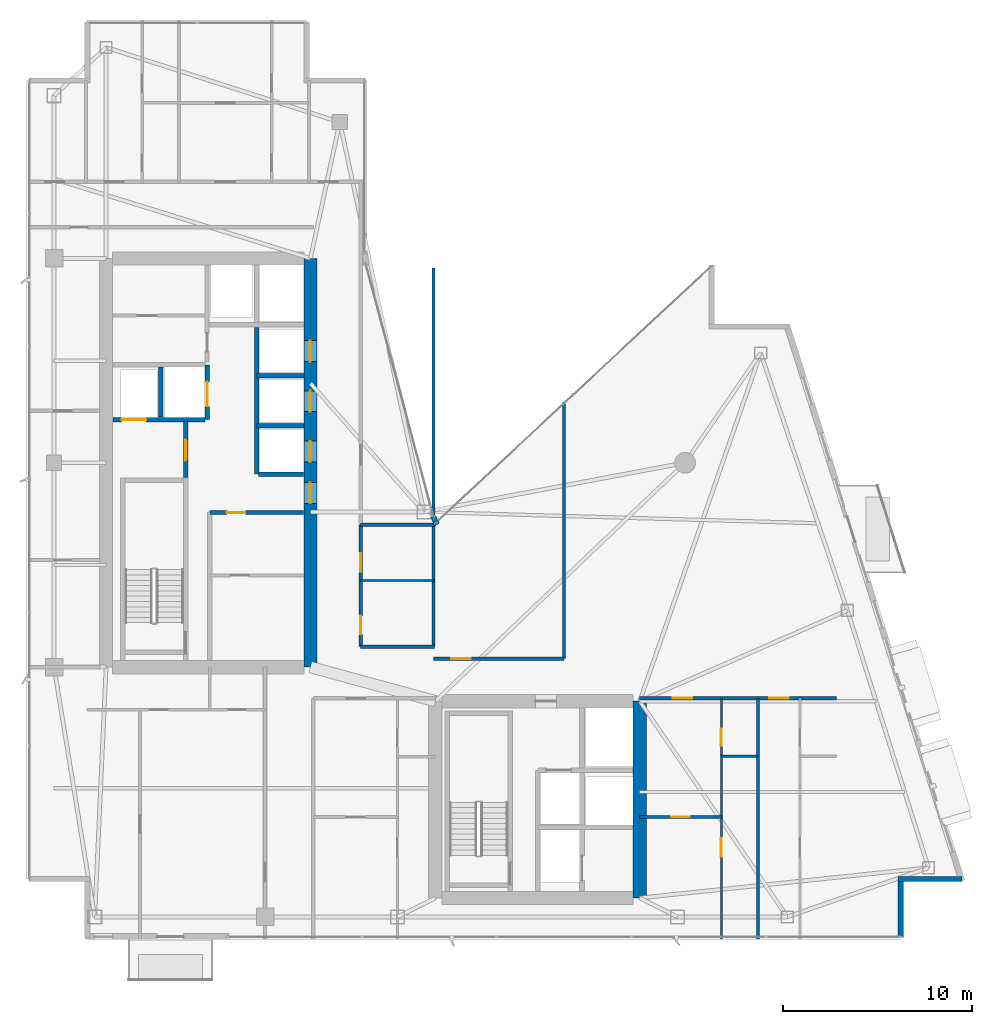
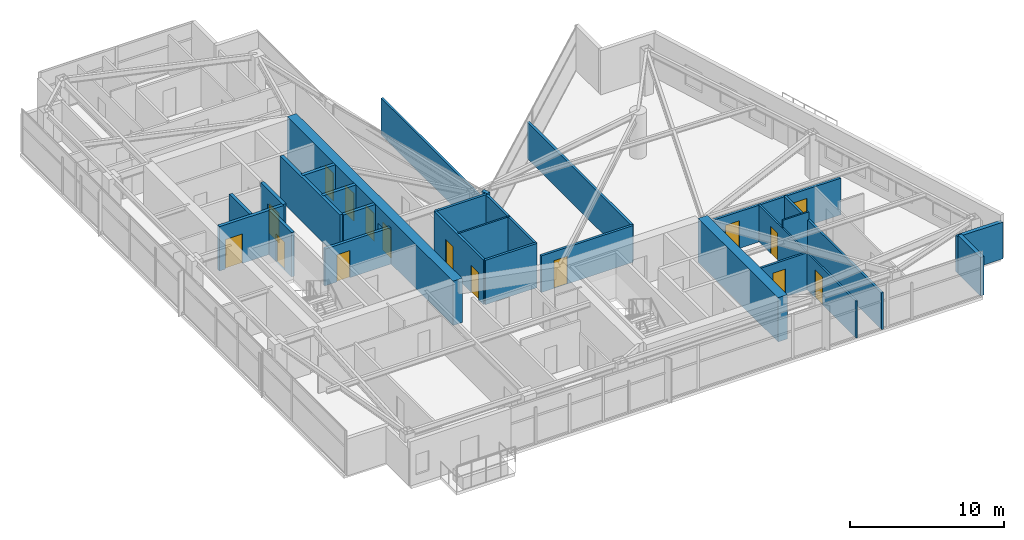
# One storey, part 23 of 27: 27 walls, 16 doors, 16 openings.
"""IFC4 building model written with IfcOpenShell, lengths in metres."""

from ifc_helpers import new_model, si_unit, direction, frame, frame_2d, origin, place, context, subcontext, project, spatial, rectangle, extrude, material, layer, layer_set, type_object, element, fill, save


model = new_model("IFC4")

# Units and contexts
model_context = context("Model", 3, precision=1e-05, world=origin(), true_north=direction((0.0, 1.0)))
body_context = subcontext(model_context, "Body", "Model", "MODEL_VIEW")
ifc_project = project(units=[si_unit("LENGTHUNIT", "METRE"), si_unit("AREAUNIT", "SQUARE_METRE"), si_unit("VOLUMEUNIT", "CUBIC_METRE"), si_unit("PLANEANGLEUNIT", "RADIAN"), si_unit("MASSUNIT", "GRAM", prefix="KILO")], contexts=[model_context])

# Site, building, storey
site_placement = place(None, origin())
site = spatial("IfcSite", under=ifc_project, at=site_placement, CompositionType="ELEMENT")
building_placement = place(site_placement, origin())
building = spatial("IfcBuilding", under=site, at=building_placement, Name="Calvorn Quay Hotel", CompositionType="ELEMENT")
storey_placement = place(building_placement, frame((0.0, 0.0, 230.699951171875)))
storey = spatial("IfcBuildingStorey", under=building, at=storey_placement, Name="L57", CompositionType="ELEMENT", Elevation=230.699951171875)

# Wall, openings, doors
ifc_material_1 = material(Name="Concrete C45", Category="concrete")
ifc_layer_1 = layer(ifc_material_1, 0.699951171875)
ifc_layer_set_1 = layer_set([ifc_layer_1], Name="WL-CORE-700")
wall_type_1 = type_object("IfcWallType", Name="WL-CORE-700", PredefinedType="SHEAR", material=ifc_layer_set_1)
wall_1_placement = place(storey_placement, frame((15.0, 16.800048828125, 0.0), z_axis=(0.0, 0.0, 1.0), x_axis=(0.0, 1.0, 0.0)))
wall_1 = element("IfcWall", 1, at=wall_1_placement, inside=storey, type_object=wall_type_1, Name="West Core Shear Wall E (L57)", PredefinedType="SHEAR", context=body_context, shape_type="SweptSolid", body=[
    extrude(rectangle(XDim=21.599853515625, YDim=0.699951171875, at=frame_2d((10.7998046875, 0.0))), origin(), (0.0, 0.0, 1.0), 3.52001953125),
])
opening_1_placement = place(wall_1_placement, frame((8.64990234375, 0.0, 0.0)))
opening_1 = element("IfcOpeningElement", 2, at=opening_1_placement, cuts=wall_1, Name="Opening D-L57-CW1", PredefinedType="OPENING", context=body_context, shape_type="SweptSolid", body=[
    extrude(rectangle(XDim=1.10009765625, YDim=2.199951171875, at=frame_2d((0.550048828125, 1.10009765625))), frame((0.0, 0.35986328125, 0.0), z_axis=(0.0, -1.0, 0.0), x_axis=(1.0, 0.0, 0.0)), (0.0, 0.0, 1.0), 0.719970703125),
])
opening_2_placement = place(wall_1_placement, frame((10.85009765625, 0.0, 0.0)))
opening_2 = element("IfcOpeningElement", 3, at=opening_2_placement, cuts=wall_1, Name="Opening LD-L57-M1", PredefinedType="OPENING", context=body_context, shape_type="SweptSolid", body=[
    extrude(rectangle(XDim=1.10009765625, YDim=2.199951171875, at=frame_2d((0.550048828125, 1.10009765625))), frame((0.0, 0.35986328125, 0.0), z_axis=(0.0, -1.0, 0.0), x_axis=(1.0, 0.0, 0.0)), (0.0, 0.0, 1.0), 0.719970703125),
])
opening_3_placement = place(wall_1_placement, frame((13.5, 0.0, 0.0)))
opening_3 = element("IfcOpeningElement", 4, at=opening_3_placement, cuts=wall_1, Name="Opening LD-L57-M2", PredefinedType="OPENING", context=body_context, shape_type="SweptSolid", body=[
    extrude(rectangle(XDim=1.10009765625, YDim=2.199951171875, at=frame_2d((0.550048828125, 1.10009765625))), frame((0.0, 0.35986328125, 0.0), z_axis=(0.0, -1.0, 0.0), x_axis=(1.0, 0.0, 0.0)), (0.0, 0.0, 1.0), 0.719970703125),
])
opening_4_placement = place(wall_1_placement, frame((16.14990234375, 0.0, 0.0)))
opening_4 = element("IfcOpeningElement", 5, at=opening_4_placement, cuts=wall_1, Name="Opening LD-L57-M3", PredefinedType="OPENING", context=body_context, shape_type="SweptSolid", body=[
    extrude(rectangle(XDim=1.10009765625, YDim=2.199951171875, at=frame_2d((0.550048828125, 1.10009765625))), frame((0.0, 0.35986328125, 0.0), z_axis=(0.0, -1.0, 0.0), x_axis=(1.0, 0.0, 0.0)), (0.0, 0.0, 1.0), 0.719970703125),
])
ifc_material_2 = material(Name="Smoke-Sealed Steel Class A Fire Door", Category="steel")
door_type_1 = type_object("IfcDoorType", Name="DR-FFLOBBY-1100", OperationType="NOTDEFINED", PredefinedType="DOOR", material=ifc_material_2)
door_1_placement = place(opening_1_placement, origin())
door_1 = element("IfcDoor", 6, at=door_1_placement, inside=storey, type_object=door_type_1, Name="West Core Vestibule Fire Door (L57)", OperationType="SINGLE_SWING_RIGHT", OverallHeight=2.199951171875, OverallWidth=1.10009765625, PredefinedType="DOOR", context=body_context, shape_type="SweptSolid", body=[
    extrude(rectangle(XDim=1.10009765625, YDim=2.199951171875, at=frame_2d((0.550048828125, 1.10009765625))), frame((0.0, 0.02490234375, 0.0), z_axis=(0.0, -1.0, 0.0), x_axis=(1.0, 0.0, 0.0)), (0.0, 0.0, 1.0), 0.050048828125),
])
fill(opening_1, door_1)
ifc_material_3 = material(Name="Brushed Stainless Steel Sliding Lift Landing Door", Category="steel")
door_type_2 = type_object("IfcDoorType", Name="DR-LIFT-PASS-1100", OperationType="NOTDEFINED", PredefinedType="DOOR", material=ifc_material_3)
door_2_placement = place(opening_2_placement, origin())
door_2 = element("IfcDoor", 7, at=door_2_placement, inside=storey, type_object=door_type_2, Name="Mid-Rise Lift PL-M1 Landing Door (L57)", OperationType="DOUBLE_DOOR_SLIDING", OverallHeight=2.199951171875, OverallWidth=1.10009765625, PredefinedType="DOOR", context=body_context, shape_type="SweptSolid", body=[
    extrude(rectangle(XDim=1.10009765625, YDim=2.199951171875, at=frame_2d((0.550048828125, 1.10009765625))), frame((0.0, 0.02490234375, 0.0), z_axis=(0.0, -1.0, 0.0), x_axis=(1.0, 0.0, 0.0)), (0.0, 0.0, 1.0), 0.050048828125),
])
fill(opening_2, door_2)
door_3_placement = place(opening_3_placement, origin())
door_3 = element("IfcDoor", 8, at=door_3_placement, inside=storey, type_object=door_type_2, Name="Mid-Rise Lift PL-M2 Landing Door (L57)", OperationType="DOUBLE_DOOR_SLIDING", OverallHeight=2.199951171875, OverallWidth=1.10009765625, PredefinedType="DOOR", context=body_context, shape_type="SweptSolid", body=[
    extrude(rectangle(XDim=1.10009765625, YDim=2.199951171875, at=frame_2d((0.550048828125, 1.10009765625))), frame((0.0, 0.02490234375, 0.0), z_axis=(0.0, -1.0, 0.0), x_axis=(1.0, 0.0, 0.0)), (0.0, 0.0, 1.0), 0.050048828125),
])
fill(opening_3, door_3)
door_4_placement = place(opening_4_placement, origin())
door_4 = element("IfcDoor", 9, at=door_4_placement, inside=storey, type_object=door_type_2, Name="Mid-Rise Lift PL-M3 Landing Door (L57)", OperationType="DOUBLE_DOOR_SLIDING", OverallHeight=2.199951171875, OverallWidth=1.10009765625, PredefinedType="DOOR", context=body_context, shape_type="SweptSolid", body=[
    extrude(rectangle(XDim=1.10009765625, YDim=2.199951171875, at=frame_2d((0.550048828125, 1.10009765625))), frame((0.0, 0.02490234375, 0.0), z_axis=(0.0, -1.0, 0.0), x_axis=(1.0, 0.0, 0.0)), (0.0, 0.0, 1.0), 0.050048828125),
])
fill(opening_4, door_4)

# Walls
wall_2_placement = place(storey_placement, frame((32.39990234375, 4.60009765625, 0.0), z_axis=(0.0, 0.0, 1.0), x_axis=(0.0, 1.0, 0.0)))
element("IfcWall", 10, at=wall_2_placement, inside=storey, type_object=wall_type_1, Name="East Core Shear Wall E (L57)", PredefinedType="SHEAR", context=body_context, shape_type="SweptSolid", body=[
    extrude(rectangle(XDim=10.39990234375, YDim=0.699951171875, at=frame_2d((5.199951171875, 0.0))), origin(), (0.0, 0.0, 1.0), 3.52001953125),
])
ifc_material_4 = material(Name="Acoustic Fireboard Steel-Stud Partition", Category="steel")
ifc_layer_2 = layer(ifc_material_4, 0.179931640625)
ifc_layer_set_2 = layer_set([ifc_layer_2], Name="WL-CORR-FIRE-180")
wall_type_2 = type_object("IfcWallType", Name="WL-CORR-FIRE-180", PredefinedType="PARTITIONING", material=ifc_layer_set_2)
wall_3_placement = place(storey_placement, frame((17.64990234375, 17.8798828125, 0.0), z_axis=(0.0, 0.0, 1.0), x_axis=(1.0, 0.0, 0.0)))
element("IfcWall", 11, at=wall_3_placement, inside=storey, type_object=wall_type_2, Name="Partition Wall L57-WL-HK-S", PredefinedType="PARTITIONING", context=body_context, shape_type="SweptSolid", body=[
    extrude(rectangle(XDim=3.900146484375, YDim=0.179931640625, at=frame_2d((1.9501953125, 0.0))), origin(), (0.0, 0.0, 1.0), 3.52001953125),
])
wall_4_placement = place(storey_placement, frame((17.64990234375, 24.320068359375, 0.0), z_axis=(0.0, 0.0, 1.0), x_axis=(1.0, 0.0, 0.0)))
element("IfcWall", 12, at=wall_4_placement, inside=storey, type_object=wall_type_2, Name="Partition Wall L57-WL-HK-N", PredefinedType="PARTITIONING", context=body_context, shape_type="SweptSolid", body=[
    extrude(rectangle(XDim=3.9501953125, YDim=0.179931640625, at=frame_2d((1.97509765625, 0.0))), origin(), (0.0, 0.0, 1.0), 3.52001953125),
])
wall_5_placement = place(storey_placement, frame((21.5, 17.8798828125, 0.0), z_axis=(0.0, 0.0, 1.0), x_axis=(0.0, 1.0, 0.0)))
element("IfcWall", 13, at=wall_5_placement, inside=storey, type_object=wall_type_2, Name="Partition Wall L57-WL-HK-E", PredefinedType="PARTITIONING", context=body_context, shape_type="SweptSolid", body=[
    extrude(rectangle(XDim=6.440185546875, YDim=0.179931640625, at=frame_2d((3.22021484375, 0.0))), origin(), (0.0, 0.0, 1.0), 3.52001953125),
])

# Wall, openings, doors
wall_6_placement = place(storey_placement, frame((17.64990234375, 17.8798828125, 0.0), z_axis=(0.0, 0.0, 1.0), x_axis=(0.0, 1.0, 0.0)))
wall_6 = element("IfcWall", 14, at=wall_6_placement, inside=storey, type_object=wall_type_2, Name="Partition Wall L57-WL-HK-W", PredefinedType="PARTITIONING", context=body_context, shape_type="SweptSolid", body=[
    extrude(rectangle(XDim=6.440185546875, YDim=0.179931640625, at=frame_2d((3.22021484375, 0.0))), origin(), (0.0, 0.0, 1.0), 3.52001953125),
])
opening_5_placement = place(wall_6_placement, frame((0.64990234375, 0.0, 0.0)))
opening_5 = element("IfcOpeningElement", 15, at=opening_5_placement, cuts=wall_6, Name="Opening D-L57-HK", PredefinedType="OPENING", context=body_context, shape_type="SweptSolid", body=[
    extrude(rectangle(XDim=0.97998046875, YDim=2.14990234375, at=frame_2d((0.489990234375, 1.074951171875))), frame((0.0, 0.099853515625, 0.0), z_axis=(0.0, -1.0, 0.0), x_axis=(1.0, 0.0, 0.0)), (0.0, 0.0, 1.0), 0.199951171875),
])
opening_6_placement = place(wall_6_placement, frame((3.969970703125, 0.0, 0.0)))
opening_6 = element("IfcOpeningElement", 16, at=opening_6_placement, cuts=wall_6, Name="Opening D-L57-NCP", PredefinedType="OPENING", context=body_context, shape_type="SweptSolid", body=[
    extrude(rectangle(XDim=0.9599609375, YDim=2.199951171875, at=frame_2d((0.47998046875, 1.10009765625))), frame((0.0, 0.099853515625, 0.0), z_axis=(0.0, -1.0, 0.0), x_axis=(1.0, 0.0, 0.0)), (0.0, 0.0, 1.0), 0.199951171875),
])
ifc_material_5 = material(Name="Painted Steel Housekeeping/Riser Fire Door", Category="steel")
door_type_3 = type_object("IfcDoorType", Name="DR-SERVICE-980", OperationType="NOTDEFINED", PredefinedType="DOOR", material=ifc_material_5)
door_5_placement = place(opening_5_placement, origin())
door_5 = element("IfcDoor", 17, at=door_5_placement, inside=storey, type_object=door_type_3, Name="Floor Housekeeping Door (L57)", OperationType="SINGLE_SWING_LEFT", OverallHeight=2.14990234375, OverallWidth=0.97998046875, PredefinedType="DOOR", context=body_context, shape_type="SweptSolid", body=[
    extrude(rectangle(XDim=0.97998046875, YDim=2.14990234375, at=frame_2d((0.489990234375, 1.074951171875))), frame((0.0, 0.02490234375, 0.0), z_axis=(0.0, -1.0, 0.0), x_axis=(1.0, 0.0, 0.0)), (0.0, 0.0, 1.0), 0.050048828125),
])
fill(opening_5, door_5)
ifc_material_6 = material(Name="Solid Timber Internal Suite Door", Category="wood")
door_type_4 = type_object("IfcDoorType", Name="DR-SUITE-INT-960", OperationType="NOTDEFINED", PredefinedType="DOOR", material=ifc_material_6)
door_6_placement = place(opening_6_placement, origin())
door_6 = element("IfcDoor", 18, at=door_6_placement, inside=storey, type_object=door_type_4, Name="Reading Alcove Door (L57)", OperationType="SINGLE_SWING_RIGHT", OverallHeight=2.199951171875, OverallWidth=0.9599609375, PredefinedType="DOOR", context=body_context, shape_type="SweptSolid", body=[
    extrude(rectangle(XDim=0.9599609375, YDim=2.199951171875, at=frame_2d((0.47998046875, 1.10009765625))), frame((0.0, 0.02490234375, 0.0), z_axis=(0.0, -1.0, 0.0), x_axis=(1.0, 0.0, 0.0)), (0.0, 0.0, 1.0), 0.050048828125),
])
fill(opening_6, door_6)

wall_7_placement = place(storey_placement, frame((32.39990234375, 15.14990234375, 0.0), z_axis=(0.0, 0.0, 1.0), x_axis=(1.0, 0.0, 0.0)))
wall_7 = element("IfcWall", 19, at=wall_7_placement, inside=storey, type_object=wall_type_2, Name="Partition Wall L57-WL-CORR-SE-S", PredefinedType="PARTITIONING", context=body_context, shape_type="SweptSolid", body=[
    extrude(rectangle(XDim=10.400146484375, YDim=0.179931640625, at=frame_2d((5.2001953125, 0.0))), origin(), (0.0, 0.0, 1.0), 2.920166015625),
])
opening_7_placement = place(wall_7_placement, frame((1.75, 0.0, 0.0)))
opening_7 = element("IfcOpeningElement", 20, at=opening_7_placement, cuts=wall_7, Name="Opening D-L57-U05", PredefinedType="OPENING", context=body_context, shape_type="SweptSolid", body=[
    extrude(rectangle(XDim=1.02001953125, YDim=2.199951171875, at=frame_2d((0.510009765625, 1.10009765625))), frame((0.0, 0.099853515625, 0.0), z_axis=(0.0, -1.0, 0.0), x_axis=(1.0, 0.0, 0.0)), (0.0, 0.0, 1.0), 0.199951171875),
])
opening_8_placement = place(wall_7_placement, frame((6.85009765625, 0.0, 0.0)))
opening_8 = element("IfcOpeningElement", 21, at=opening_8_placement, cuts=wall_7, Name="Opening D-L57-U06", PredefinedType="OPENING", context=body_context, shape_type="SweptSolid", body=[
    extrude(rectangle(XDim=1.02001953125, YDim=2.199951171875, at=frame_2d((0.510009765625, 1.10009765625))), frame((0.0, 0.099853515625, 0.0), z_axis=(0.0, -1.0, 0.0), x_axis=(1.0, 0.0, 0.0)), (0.0, 0.0, 1.0), 0.199951171875),
])
ifc_material_7 = material(Name="Solid-Core Walnut Veneer Hotel Fire Door")
door_type_5 = type_object("IfcDoorType", Name="DR-GUEST-ENTRY-1020", OperationType="NOTDEFINED", PredefinedType="DOOR", material=ifc_material_7)
door_7_placement = place(opening_7_placement, origin())
door_7 = element("IfcDoor", 22, at=door_7_placement, inside=storey, type_object=door_type_5, Name="South-East Unit Door U05 (L57)", OperationType="SINGLE_SWING_LEFT", OverallHeight=2.199951171875, OverallWidth=1.02001953125, PredefinedType="DOOR", context=body_context, shape_type="SweptSolid", body=[
    extrude(rectangle(XDim=1.02001953125, YDim=2.199951171875, at=frame_2d((0.510009765625, 1.10009765625))), frame((0.0, 0.02490234375, 0.0), z_axis=(0.0, -1.0, 0.0), x_axis=(1.0, 0.0, 0.0)), (0.0, 0.0, 1.0), 0.050048828125),
])
fill(opening_7, door_7)
door_8_placement = place(opening_8_placement, origin())
door_8 = element("IfcDoor", 23, at=door_8_placement, inside=storey, type_object=door_type_5, Name="South-East Unit Door U06 (L57)", OperationType="SINGLE_SWING_RIGHT", OverallHeight=2.199951171875, OverallWidth=1.02001953125, PredefinedType="DOOR", context=body_context, shape_type="SweptSolid", body=[
    extrude(rectangle(XDim=1.02001953125, YDim=2.199951171875, at=frame_2d((0.510009765625, 1.10009765625))), frame((0.0, 0.02490234375, 0.0), z_axis=(0.0, -1.0, 0.0), x_axis=(1.0, 0.0, 0.0)), (0.0, 0.0, 1.0), 0.050048828125),
])
fill(opening_8, door_8)

# Wall, opening, door
wall_8_placement = place(storey_placement, frame((21.5, 17.25, 0.0), z_axis=(0.0, 0.0, 1.0), x_axis=(1.0, 0.0, 0.0)))
wall_8 = element("IfcWall", 24, at=wall_8_placement, inside=storey, type_object=wall_type_2, Name="Partition Wall L57-WL-CORR-NE-N", PredefinedType="PARTITIONING", context=body_context, shape_type="SweptSolid", body=[
    extrude(rectangle(XDim=6.89990234375, YDim=0.179931640625, at=frame_2d((3.449951171875, 0.0))), origin(), (0.0, 0.0, 1.0), 2.920166015625),
])
opening_9_placement = place(wall_8_placement, frame((0.949951171875, 0.0, 0.0)))
opening_9 = element("IfcOpeningElement", 25, at=opening_9_placement, cuts=wall_8, Name="Opening D-L57-NS1", PredefinedType="OPENING", context=body_context, shape_type="SweptSolid", body=[
    extrude(rectangle(XDim=1.02001953125, YDim=2.199951171875, at=frame_2d((0.510009765625, 1.10009765625))), frame((0.0, 0.099853515625, 0.0), z_axis=(0.0, -1.0, 0.0), x_axis=(1.0, 0.0, 0.0)), (0.0, 0.0, 1.0), 0.199951171875),
])
door_9_placement = place(opening_9_placement, origin())
door_9 = element("IfcDoor", 26, at=door_9_placement, inside=storey, type_object=door_type_5, Name="Conservatory Salon Door 1 (L57)", OperationType="SINGLE_SWING_RIGHT", OverallHeight=2.199951171875, OverallWidth=1.02001953125, PredefinedType="DOOR", context=body_context, shape_type="SweptSolid", body=[
    extrude(rectangle(XDim=1.02001953125, YDim=2.199951171875, at=frame_2d((0.510009765625, 1.10009765625))), frame((0.0, 0.02490234375, 0.0), z_axis=(0.0, -1.0, 0.0), x_axis=(1.0, 0.0, 0.0)), (0.0, 0.0, 1.0), 0.050048828125),
])
fill(opening_9, door_9)

# Walls
wall_9_placement = place(storey_placement, frame((28.39990234375, 17.25, 0.0), z_axis=(0.0, 0.0, 1.0), x_axis=(0.0, 1.0, 0.0)))
element("IfcWall", 27, at=wall_9_placement, inside=storey, type_object=wall_type_2, Name="Partition Wall L57-WL-NE-END-E", PredefinedType="PARTITIONING", context=body_context, shape_type="SweptSolid", body=[
    extrude(rectangle(XDim=13.56005859375, YDim=0.179931640625, at=frame_2d((6.780029296875, 0.0))), origin(), (0.0, 0.0, 1.0), 2.920166015625),
])
ifc_material_8 = material(Name="Moisture-Resistant Tile-Backed Partition")
ifc_layer_3 = layer(ifc_material_8, 0.125)
ifc_layer_set_3 = layer_set([ifc_layer_3], Name="WL-ENSUITE-125")
wall_type_3 = type_object("IfcWallType", Name="WL-ENSUITE-125", PredefinedType="PARTITIONING", material=ifc_layer_set_3)
wall_10_placement = place(storey_placement, frame((17.64990234375, 21.3798828125, 0.0), z_axis=(0.0, 0.0, 1.0), x_axis=(1.0, 0.0, 0.0)))
element("IfcWall", 28, at=wall_10_placement, inside=storey, type_object=wall_type_3, Name="Partition Wall L57-WL-HK-M", PredefinedType="PARTITIONING", context=body_context, shape_type="SweptSolid", body=[
    extrude(rectangle(XDim=3.900146484375, YDim=0.125, at=frame_2d((1.9501953125, 0.0))), origin(), (0.0, 0.0, 1.0), 3.52001953125),
])
wall_11_placement = place(storey_placement, frame((36.719970703125, 12.10009765625, 0.0), z_axis=(0.0, 0.0, 1.0), x_axis=(1.0, 0.0, 0.0)))
element("IfcWall", 29, at=wall_11_placement, inside=storey, type_object=wall_type_3, Name="Partition Wall L57-WL-U05-BDV", PredefinedType="PARTITIONING", context=body_context, shape_type="SweptSolid", body=[
    extrude(rectangle(XDim=1.929931640625, YDim=0.125, at=frame_2d((0.96484375, 0.0))), origin(), (0.0, 0.0, 1.0), 3.52001953125),
])

# Wall, openings, doors
wall_12_placement = place(storey_placement, frame((36.719970703125, 2.43994140625, 0.0), z_axis=(0.0, 0.0, 1.0), x_axis=(0.0, 1.0, 0.0)))
wall_12 = element("IfcWall", 30, at=wall_12_placement, inside=storey, type_object=wall_type_3, Name="Partition Wall L57-WL-U05-BV", PredefinedType="PARTITIONING", context=body_context, shape_type="SweptSolid", body=[
    extrude(rectangle(XDim=12.7099609375, YDim=0.125, at=frame_2d((6.35498046875, 0.0))), origin(), (0.0, 0.0, 1.0), 2.920166015625),
])
opening_10_placement = place(wall_12_placement, frame((4.35009765625, 0.0, 0.0)))
opening_10 = element("IfcOpeningElement", 31, at=opening_10_placement, cuts=wall_12, Name="Opening D-L57-S05", PredefinedType="OPENING", context=body_context, shape_type="SweptSolid", body=[
    extrude(rectangle(XDim=0.9599609375, YDim=2.199951171875, at=frame_2d((0.47998046875, 1.10009765625))), frame((0.0, 0.072509765625, 0.0), z_axis=(0.0, -1.0, 0.0), x_axis=(1.0, 0.0, 0.0)), (0.0, 0.0, 1.0), 0.14501953125),
])
opening_11_placement = place(wall_12_placement, frame((10.2099609375, 0.0, 0.0)))
opening_11 = element("IfcOpeningElement", 32, at=opening_11_placement, cuts=wall_12, Name="Opening D-L57-E05", PredefinedType="OPENING", context=body_context, shape_type="SweptSolid", body=[
    extrude(rectangle(XDim=0.89990234375, YDim=2.14990234375, at=frame_2d((0.449951171875, 1.074951171875))), frame((0.0, 0.072509765625, 0.0), z_axis=(0.0, -1.0, 0.0), x_axis=(1.0, 0.0, 0.0)), (0.0, 0.0, 1.0), 0.14501953125),
])
ifc_material_9 = material(Name="Moisture-Sealed Timber En-Suite Door", Category="wood")
door_type_6 = type_object("IfcDoorType", Name="DR-ENSUITE-900", OperationType="NOTDEFINED", PredefinedType="DOOR", material=ifc_material_9)
door_10_placement = place(opening_11_placement, origin())
door_10 = element("IfcDoor", 33, at=door_10_placement, inside=storey, type_object=door_type_6, Name="En-Suite Door 05", OperationType="SINGLE_SWING_RIGHT", OverallHeight=2.14990234375, OverallWidth=0.89990234375, PredefinedType="DOOR", context=body_context, shape_type="SweptSolid", body=[
    extrude(rectangle(XDim=0.89990234375, YDim=2.14990234375, at=frame_2d((0.449951171875, 1.074951171875))), frame((0.0, 0.02490234375, 0.0), z_axis=(0.0, -1.0, 0.0), x_axis=(1.0, 0.0, 0.0)), (0.0, 0.0, 1.0), 0.050048828125),
])
fill(opening_11, door_10)
door_11_placement = place(opening_10_placement, origin())
door_11 = element("IfcDoor", 34, at=door_11_placement, inside=storey, type_object=door_type_4, Name="Spa Therapy Room Door 05", OperationType="SINGLE_SWING_LEFT", OverallHeight=2.199951171875, OverallWidth=0.9599609375, PredefinedType="DOOR", context=body_context, shape_type="SweptSolid", body=[
    extrude(rectangle(XDim=0.9599609375, YDim=2.199951171875, at=frame_2d((0.47998046875, 1.10009765625))), frame((0.0, 0.02490234375, 0.0), z_axis=(0.0, -1.0, 0.0), x_axis=(1.0, 0.0, 0.0)), (0.0, 0.0, 1.0), 0.050048828125),
])
fill(opening_10, door_11)

# Walls
ifc_material_10 = material(Name="Concrete C40", Category="concrete")
ifc_layer_4 = layer(ifc_material_10, 0.320068359375)
ifc_layer_set_4 = layer_set([ifc_layer_4], Name="WL-EXT-SPANDREL-320")
wall_type_4 = type_object("IfcWallType", Name="WL-EXT-SPANDREL-320", PredefinedType="SOLIDWALL", material=ifc_layer_set_4)
wall_13_placement = place(storey_placement, frame((21.679931640625, 24.340087890625, 0.0), z_axis=(0.0, 0.0, 1.0), x_axis=(-0.40758134973, 0.913168901875, 0.0)))
element("IfcWall", 35, at=wall_13_placement, inside=storey, type_object=wall_type_4, Name="Inner Court Corner Pier L57-ICJ1", PredefinedType="SOLIDWALL", context=body_context, shape_type="SweptSolid", body=[
    extrude(rectangle(XDim=0.470703125, YDim=0.280029296875, at=frame_2d((0.2353515625, 0.0))), origin(), (0.0, 0.0, 1.0), 3.52001953125),
])
wall_14_placement = place(storey_placement, frame((46.199951171875, 2.52001953125, 0.0), z_axis=(0.0, 0.0, 1.0), x_axis=(0.0, 1.0, 0.0)))
element("IfcWall", 36, at=wall_14_placement, inside=storey, type_object=wall_type_4, Name="Notched Corner Spandrel L57-SE1", PredefinedType="SOLIDWALL", context=body_context, shape_type="SweptSolid", body=[
    extrude(rectangle(XDim=2.93994140625, YDim=0.280029296875, at=frame_2d((1.469970703125, 0.0))), origin(), (0.0, 0.0, 1.0), 3.070068359375),
])
wall_15_placement = place(storey_placement, frame((46.06005859375, 5.60009765625, 0.0), z_axis=(0.0, 0.0, 1.0), x_axis=(1.0, 0.0, 0.0)))
element("IfcWall", 37, at=wall_15_placement, inside=storey, type_object=wall_type_4, Name="Notched Corner Spandrel L57-SE2", PredefinedType="SOLIDWALL", context=body_context, shape_type="SweptSolid", body=[
    extrude(rectangle(XDim=3.3798828125, YDim=0.280029296875, at=frame_2d((1.68994140625, 0.0))), origin(), (0.0, 0.0, 1.0), 2.920166015625),
])

# Wall, opening, door
ifc_material_11 = material(Name="Double-Stud Acoustic Gypsum Partition")
ifc_layer_5 = layer(ifc_material_11, 0.159912109375)
ifc_layer_set_5 = layer_set([ifc_layer_5], Name="WL-INTERSUITE-160")
wall_type_5 = type_object("IfcWallType", Name="WL-INTERSUITE-160", PredefinedType="PARTITIONING", material=ifc_layer_set_5)
wall_16_placement = place(storey_placement, frame((32.39990234375, 8.8798828125, 0.0), z_axis=(0.0, 0.0, 1.0), x_axis=(1.0, 0.0, 0.0)))
wall_16 = element("IfcWall", 38, at=wall_16_placement, inside=storey, type_object=wall_type_5, Name="Partition Wall L57-WL-U05-MSP", PredefinedType="PARTITIONING", context=body_context, shape_type="SweptSolid", body=[
    extrude(rectangle(XDim=4.320068359375, YDim=0.159912109375, at=frame_2d((2.16015625, 0.0))), origin(), (0.0, 0.0, 1.0), 2.920166015625),
])
opening_12_placement = place(wall_16_placement, frame((1.679931640625, 0.0, 0.0)))
opening_12 = element("IfcOpeningElement", 39, at=opening_12_placement, cuts=wall_16, Name="Opening D-L57-M05", PredefinedType="OPENING", context=body_context, shape_type="SweptSolid", body=[
    extrude(rectangle(XDim=0.9599609375, YDim=2.199951171875, at=frame_2d((0.47998046875, 1.10009765625))), frame((0.0, 0.08984375, 0.0), z_axis=(0.0, -1.0, 0.0), x_axis=(1.0, 0.0, 0.0)), (0.0, 0.0, 1.0), 0.179931640625),
])
door_12_placement = place(opening_12_placement, origin())
door_12 = element("IfcDoor", 40, at=door_12_placement, inside=storey, type_object=door_type_4, Name="Suite Bedroom Door 05", OperationType="SINGLE_SWING_LEFT", OverallHeight=2.199951171875, OverallWidth=0.9599609375, PredefinedType="DOOR", context=body_context, shape_type="SweptSolid", body=[
    extrude(rectangle(XDim=0.9599609375, YDim=2.199951171875, at=frame_2d((0.47998046875, 1.10009765625))), frame((0.0, 0.02490234375, 0.0), z_axis=(0.0, -1.0, 0.0), x_axis=(1.0, 0.0, 0.0)), (0.0, 0.0, 1.0), 0.050048828125),
])
fill(opening_12, door_12)

# Walls
wall_17_placement = place(storey_placement, frame((38.64990234375, 2.43994140625, 0.0), z_axis=(0.0, 0.0, 1.0), x_axis=(0.0, 1.0, 0.0)))
element("IfcWall", 41, at=wall_17_placement, inside=storey, type_object=wall_type_5, Name="Partition Wall L57-WL-SE-DIV-1", PredefinedType="PARTITIONING", context=body_context, shape_type="SweptSolid", body=[
    extrude(rectangle(XDim=12.7099609375, YDim=0.159912109375, at=frame_2d((6.35498046875, 0.0))), origin(), (0.0, 0.0, 1.0), 2.920166015625),
])
wall_18_placement = place(storey_placement, frame((21.5, 24.85009765625, 0.0), z_axis=(0.0, 0.0, 1.0), x_axis=(0.0, 1.0, 0.0)))
element("IfcWall", 42, at=wall_18_placement, inside=storey, type_object=wall_type_5, Name="Partition Wall L57-WL-NC-UPPER-E", PredefinedType="PARTITIONING", context=body_context, shape_type="SweptSolid", body=[
    extrude(rectangle(XDim=13.0498046875, YDim=0.159912109375, at=frame_2d((6.52490234375, 0.0))), origin(), (0.0, 0.0, 1.0), 2.920166015625),
])

# Wall, opening, door
ifc_material_12 = material(Name="Autoclaved Aerated Masonry Block", Category="masonry")
ifc_layer_6 = layer(ifc_material_12, 0.219970703125)
ifc_layer_set_6 = layer_set([ifc_layer_6], Name="WL-LOBBY-FIRE-220")
wall_type_6 = type_object("IfcWallType", Name="WL-LOBBY-FIRE-220", PredefinedType="SOLIDWALL", material=ifc_layer_set_6)
wall_19_placement = place(storey_placement, frame((9.679931640625, 24.969970703125, 0.0), z_axis=(0.0, 0.0, 1.0), x_axis=(1.0, 0.0, 0.0)))
wall_19 = element("IfcWall", 43, at=wall_19_placement, inside=storey, type_object=wall_type_6, Name="Partition Wall L57-WL-CWW-FR-N", PredefinedType="SOLIDWALL", context=body_context, shape_type="SweptSolid", body=[
    extrude(rectangle(XDim=4.949951171875, YDim=0.219970703125, at=frame_2d((2.47509765625, 0.0))), origin(), (0.0, 0.0, 1.0), 2.920166015625),
])
opening_13_placement = place(wall_19_placement, frame((0.89990234375, 0.0, 0.0)))
opening_13 = element("IfcOpeningElement", 44, at=opening_13_placement, cuts=wall_19, Name="Opening D-L57-FRL2", PredefinedType="OPENING", context=body_context, shape_type="SweptSolid", body=[
    extrude(rectangle(XDim=0.97998046875, YDim=2.14990234375, at=frame_2d((0.489990234375, 1.074951171875))), frame((0.0, 0.119873046875, 0.0), z_axis=(0.0, -1.0, 0.0), x_axis=(1.0, 0.0, 0.0)), (0.0, 0.0, 1.0), 0.239990234375),
])
door_13_placement = place(opening_13_placement, origin())
door_13 = element("IfcDoor", 45, at=door_13_placement, inside=storey, type_object=door_type_3, Name="Beverage Pantry Door (L57)", OperationType="SINGLE_SWING_RIGHT", OverallHeight=2.14990234375, OverallWidth=0.97998046875, PredefinedType="DOOR", context=body_context, shape_type="SweptSolid", body=[
    extrude(rectangle(XDim=0.97998046875, YDim=2.14990234375, at=frame_2d((0.489990234375, 1.074951171875))), frame((0.0, 0.02490234375, 0.0), z_axis=(0.0, -1.0, 0.0), x_axis=(1.0, 0.0, 0.0)), (0.0, 0.0, 1.0), 0.050048828125),
])
fill(opening_13, door_13)

# Walls
ifc_material_13 = material(Name="Concrete C40", Category="concrete")
ifc_layer_7 = layer(ifc_material_13, 0.239990234375)
ifc_layer_set_7 = layer_set([ifc_layer_7], Name="WL-SHAFT-240")
wall_type_7 = type_object("IfcWallType", Name="WL-SHAFT-240", PredefinedType="SOLIDWALL", material=ifc_layer_set_7)
for number, where, z_axis, x_axis, name in (
    (46, (12.179931640625, 29.550048828125, 0.0), (0.0, 0.0, 1.0), (1.0, 0.0, 0.0), "Lift Hoistway Divider Wall PLM12 (L57)"),
    (47, (12.179931640625, 32.199951171875, 0.0), (0.0, 0.0, 1.0), (1.0, 0.0, 0.0), "Lift Hoistway Divider Wall PLM23 (L57)"),
):
    element("IfcWall", number, at=place(storey_placement, frame(where, z_axis=z_axis, x_axis=x_axis)), inside=storey, type_object=wall_type_7, Name=name, PredefinedType="SOLIDWALL", context=body_context, shape_type="SweptSolid", body=[
        extrude(rectangle(XDim=2.469970703125, YDim=0.239990234375, at=frame_2d((1.23486328125, 0.0))), origin(), (0.0, 0.0, 1.0), 3.52001953125),
    ])

# Wall, opening, door
wall_20_placement = place(storey_placement, frame((8.419921875, 26.820068359375, 0.0), z_axis=(0.0, 0.0, 1.0), x_axis=(0.0, 1.0, 0.0)))
wall_20 = element("IfcWall", 48, at=wall_20_placement, inside=storey, type_object=wall_type_7, Name="Partition Wall L57-WL-CWW-FFL-E", PredefinedType="SOLIDWALL", context=body_context, shape_type="SweptSolid", body=[
    extrude(rectangle(XDim=3.0, YDim=0.239990234375, at=frame_2d((1.5, 0.0))), origin(), (0.0, 0.0, 1.0), 3.52001953125),
])
opening_14_placement = place(wall_20_placement, frame((0.89990234375, 0.0, 0.0)))
opening_14 = element("IfcOpeningElement", 49, at=opening_14_placement, cuts=wall_20, Name="Opening D-L57-FLW", PredefinedType="OPENING", context=body_context, shape_type="SweptSolid", body=[
    extrude(rectangle(XDim=1.10009765625, YDim=2.199951171875, at=frame_2d((0.550048828125, 1.10009765625))), frame((0.0, 0.1298828125, 0.0), z_axis=(0.0, -1.0, 0.0), x_axis=(1.0, 0.0, 0.0)), (0.0, 0.0, 1.0), 0.260009765625),
])
door_14_placement = place(opening_14_placement, origin())
door_14 = element("IfcDoor", 50, at=door_14_placement, inside=storey, type_object=door_type_1, Name="West Firefighting Lobby Fire Door (L57)", OperationType="SINGLE_SWING_RIGHT", OverallHeight=2.199951171875, OverallWidth=1.10009765625, PredefinedType="DOOR", context=body_context, shape_type="SweptSolid", body=[
    extrude(rectangle(XDim=1.10009765625, YDim=2.199951171875, at=frame_2d((0.550048828125, 1.10009765625))), frame((0.0, 0.02490234375, 0.0), z_axis=(0.0, -1.0, 0.0), x_axis=(1.0, 0.0, 0.0)), (0.0, 0.0, 1.0), 0.050048828125),
])
fill(opening_14, door_14)

wall_21_placement = place(storey_placement, frame((4.570068359375, 29.8798828125, 0.0), z_axis=(0.0, 0.0, 1.0), x_axis=(1.0, 0.0, 0.0)))
wall_21 = element("IfcWall", 51, at=wall_21_placement, inside=storey, type_object=wall_type_7, Name="Partition Wall L57-WL-CWW-FLW-S", PredefinedType="SOLIDWALL", context=body_context, shape_type="SweptSolid", body=[
    extrude(rectangle(XDim=4.849853515625, YDim=0.239990234375, at=frame_2d((2.4248046875, 0.0))), origin(), (0.0, 0.0, 1.0), 3.52001953125),
])
opening_15_placement = place(wall_21_placement, frame((0.449951171875, 0.0, 0.0)))
opening_15 = element("IfcOpeningElement", 52, at=opening_15_placement, cuts=wall_21, Name="Opening LD-L57-FLW1", PredefinedType="OPENING", context=body_context, shape_type="SweptSolid", body=[
    extrude(rectangle(XDim=1.300048828125, YDim=2.35009765625, at=frame_2d((0.64990234375, 1.175048828125))), frame((0.0, 0.1298828125, 0.0), z_axis=(0.0, -1.0, 0.0), x_axis=(1.0, 0.0, 0.0)), (0.0, 0.0, 1.0), 0.260009765625),
])
ifc_material_14 = material(Name="Champagne-Bronze Sliding Express Lift Landing Door")
door_type_7 = type_object("IfcDoorType", Name="DR-LIFT-SHUTTLE-1300", OperationType="NOTDEFINED", PredefinedType="DOOR", material=ifc_material_14)
door_15_placement = place(opening_15_placement, origin())
door_15 = element("IfcDoor", 53, at=door_15_placement, inside=storey, type_object=door_type_7, Name="Firefighting Lift FL-W1 Landing Door (L57)", OperationType="DOUBLE_DOOR_SLIDING", OverallHeight=2.35009765625, OverallWidth=1.300048828125, PredefinedType="DOOR", context=body_context, shape_type="SweptSolid", body=[
    extrude(rectangle(XDim=1.300048828125, YDim=2.35009765625, at=frame_2d((0.64990234375, 1.175048828125))), frame((0.0, 0.02490234375, 0.0), z_axis=(0.0, -1.0, 0.0), x_axis=(1.0, 0.0, 0.0)), (0.0, 0.0, 1.0), 0.050048828125),
])
fill(opening_15, door_15)

# Wall
wall_22_placement = place(storey_placement, frame((7.10009765625, 30.02001953125, 0.0), z_axis=(0.0, 0.0, 1.0), x_axis=(0.0, 1.0, 0.0)))
element("IfcWall", 54, at=wall_22_placement, inside=storey, type_object=wall_type_7, Name="Partition Wall L57-WL-CWW-FLW-DIV", PredefinedType="SOLIDWALL", context=body_context, shape_type="SweptSolid", body=[
    extrude(rectangle(XDim=2.6298828125, YDim=0.239990234375, at=frame_2d((1.31494140625, 0.0))), origin(), (0.0, 0.0, 1.0), 3.52001953125),
])

# Wall, opening, door
wall_23_placement = place(storey_placement, frame((9.5400390625, 29.8798828125, 0.0), z_axis=(0.0, 0.0, 1.0), x_axis=(0.0, 1.0, 0.0)))
wall_23 = element("IfcWall", 55, at=wall_23_placement, inside=storey, type_object=wall_type_7, Name="Partition Wall L57-WL-CWW-SLW-E", PredefinedType="SOLIDWALL", context=body_context, shape_type="SweptSolid", body=[
    extrude(rectangle(XDim=2.900146484375, YDim=0.239990234375, at=frame_2d((1.4501953125, 0.0))), origin(), (0.0, 0.0, 1.0), 3.52001953125),
])
opening_16_placement = place(wall_23_placement, frame((0.699951171875, 0.0, 0.0)))
opening_16 = element("IfcOpeningElement", 56, at=opening_16_placement, cuts=wall_23, Name="Opening LD-L57-SLW1", PredefinedType="OPENING", context=body_context, shape_type="SweptSolid", body=[
    extrude(rectangle(XDim=1.300048828125, YDim=2.35009765625, at=frame_2d((0.64990234375, 1.175048828125))), frame((0.0, 0.1298828125, 0.0), z_axis=(0.0, -1.0, 0.0), x_axis=(1.0, 0.0, 0.0)), (0.0, 0.0, 1.0), 0.260009765625),
])
door_16_placement = place(opening_16_placement, origin())
door_16 = element("IfcDoor", 57, at=door_16_placement, inside=storey, type_object=door_type_7, Name="Service Lift SL-W1 Landing Door (L57)", OperationType="DOUBLE_DOOR_SLIDING", OverallHeight=2.35009765625, OverallWidth=1.300048828125, PredefinedType="DOOR", context=body_context, shape_type="SweptSolid", body=[
    extrude(rectangle(XDim=1.300048828125, YDim=2.35009765625, at=frame_2d((0.64990234375, 1.175048828125))), frame((0.0, 0.02490234375, 0.0), z_axis=(0.0, -1.0, 0.0), x_axis=(1.0, 0.0, 0.0)), (0.0, 0.0, 1.0), 0.050048828125),
])
fill(opening_16, door_16)

# Walls
wall_24_placement = place(storey_placement, frame((12.25, 27.0, 0.0), z_axis=(0.0, 0.0, 1.0), x_axis=(1.0, 0.0, 0.0)))
element("IfcWall", 58, at=wall_24_placement, inside=storey, type_object=wall_type_7, Name="Partition Wall L57-WL-CWW-PLM-S", PredefinedType="SOLIDWALL", context=body_context, shape_type="SweptSolid", body=[
    extrude(rectangle(XDim=2.3798828125, YDim=0.239990234375, at=frame_2d((1.18994140625, 0.0))), origin(), (0.0, 0.0, 1.0), 3.52001953125),
])
wall_25_placement = place(storey_placement, frame((12.14990234375, 27.0, 0.0), z_axis=(0.0, 0.0, 1.0), x_axis=(0.0, 1.0, 0.0)))
element("IfcWall", 59, at=wall_25_placement, inside=storey, type_object=wall_type_7, Name="Partition Wall L57-WL-CWW-PLM-W", PredefinedType="SOLIDWALL", context=body_context, shape_type="SweptSolid", body=[
    extrude(rectangle(XDim=7.75, YDim=0.239990234375, at=frame_2d((3.875, 0.0))), origin(), (0.0, 0.0, 1.0), 3.52001953125),
])

save(model, "model.ifc")
